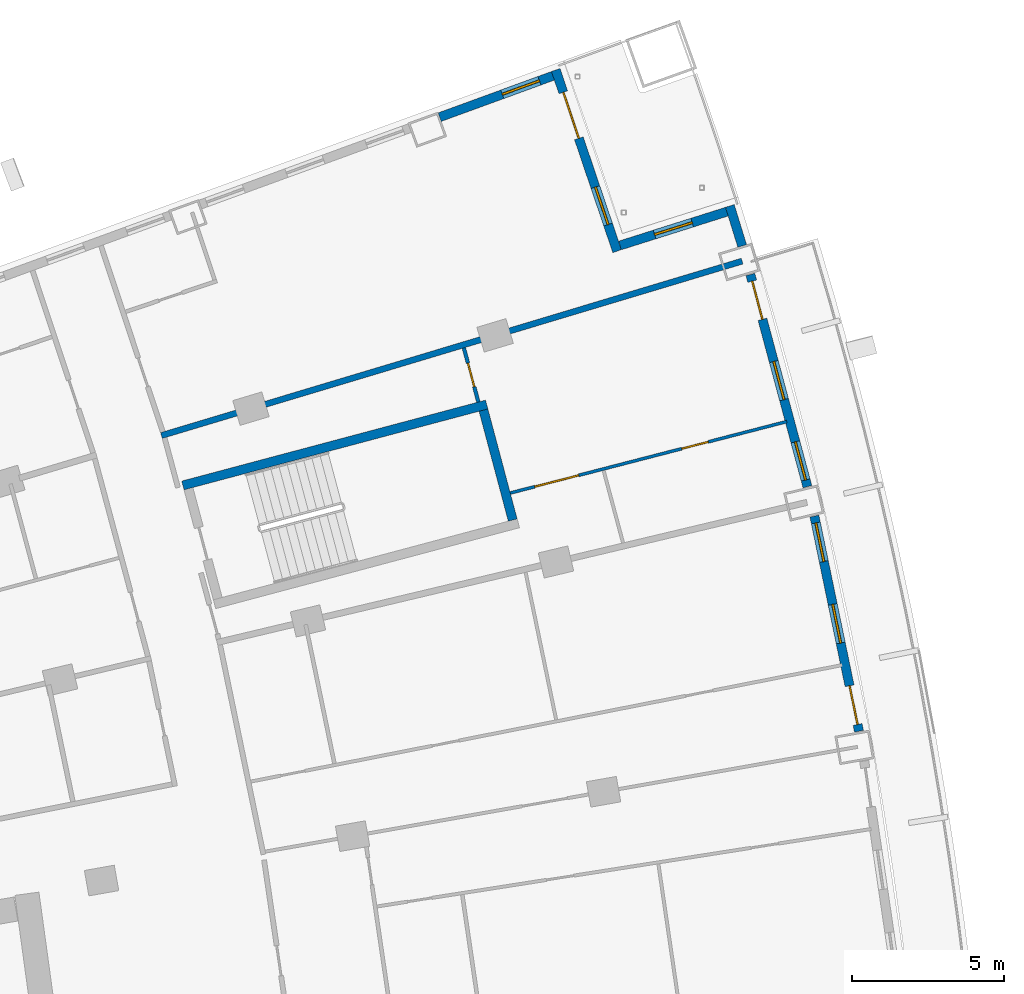
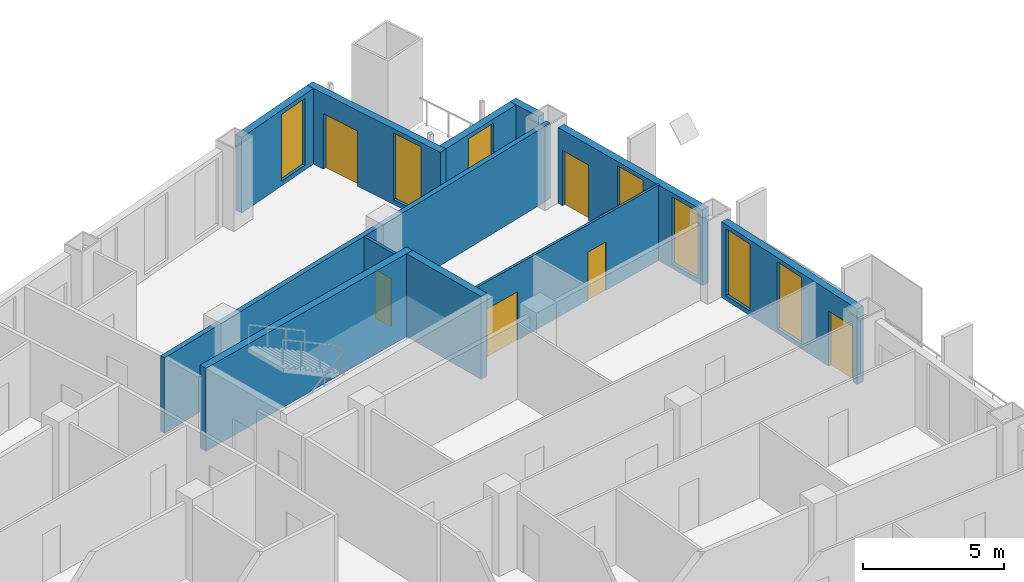
# One storey, part 21 of 25: 11 walls, 7 windows, 6 doors, 13 openings.
"""IFC4 building model written with IfcOpenShell, lengths in metres."""

from ifc_helpers import new_model, si_unit, direction, frame, frame_2d, origin, place, context, subcontext, project, spatial, rectangle, extrude, material, layer, layer_set, type_object, element, fill, save


model = new_model("IFC4")

# Units and contexts
model_context = context("Model", 3, precision=1e-05, world=origin(), true_north=direction((0.0, 1.0)))
body_context = subcontext(model_context, "Body", "Model", "MODEL_VIEW")
ifc_project = project(units=[si_unit("LENGTHUNIT", "METRE"), si_unit("AREAUNIT", "SQUARE_METRE"), si_unit("VOLUMEUNIT", "CUBIC_METRE"), si_unit("PLANEANGLEUNIT", "RADIAN"), si_unit("MASSUNIT", "GRAM", prefix="KILO")], contexts=[model_context])

# Site, building, storey
site_placement = place(None, origin())
site = spatial("IfcSite", under=ifc_project, at=site_placement, CompositionType="ELEMENT")
building_placement = place(site_placement, origin())
building = spatial("IfcBuilding", under=site, at=building_placement, Name="Alderwake Tower", CompositionType="ELEMENT")
storey_placement = place(building_placement, frame((0.0, 0.0, 111.199951171875)))
storey = spatial("IfcBuildingStorey", under=building, at=storey_placement, Name="L27", CompositionType="ELEMENT", Elevation=111.199951171875)

# Walls
ifc_material_1 = material(Name="Concrete C70/85", Category="concrete")
ifc_layer_1 = layer(ifc_material_1, 0.300048828125)
ifc_layer_set_1 = layer_set([ifc_layer_1], Name="Core wall stair enclosure 300 C70-85")
wall_type_1 = type_object("IfcWallType", Name="Core wall stair enclosure 300 C70-85", PredefinedType="SHEAR", material=ifc_layer_set_1)
wall_1_placement = place(storey_placement, frame((36.71142578125, 94.182373046875, 0.0), z_axis=(0.0, 0.0, 1.0), x_axis=(0.966309214305, 0.257383958996, 0.0)))
element("IfcWall", 1, at=wall_1_placement, inside=storey, type_object=wall_type_1, Name="Core wall CW.082", PredefinedType="SHEAR", context=body_context, shape_type="SweptSolid", body=[
    extrude(rectangle(XDim=10.360107421875, YDim=0.300048828125, at=frame_2d((5.18017578125, 0.0))), origin(), (0.0, 0.0, 1.0), 3.60009765625),
])
wall_2_placement = place(storey_placement, frame((47.581298828125, 93.041748046875, 0.0), z_axis=(0.0, 0.0, 1.0), x_axis=(-0.257366821694, 0.966313778796, 0.0)))
element("IfcWall", 2, at=wall_2_placement, inside=storey, type_object=wall_type_1, Name="Core wall CW.081", PredefinedType="SHEAR", context=body_context, shape_type="SweptSolid", body=[
    extrude(rectangle(XDim=3.749755859375, YDim=0.300048828125, at=frame_2d((1.875, 0.0))), origin(), (0.0, 0.0, 1.0), 3.60009765625),
])

# Wall, openings, door, windows
ifc_material_2 = material(Name="Precast concrete C50/60 spandrel panel", Category="concrete")
ifc_layer_2 = layer(ifc_material_2, 0.300048828125)
ifc_layer_set_2 = layer_set([ifc_layer_2], Name="External wall EW1 Precast concrete C50/60 spandrel")
wall_type_2 = type_object("IfcWallType", Name="External wall EW1 Precast concrete C50/60 spandrel", PredefinedType="SOLIDWALL", material=ifc_layer_set_2)
wall_3_placement = place(storey_placement, frame((58.991455078125, 86.081298828125, 0.0), z_axis=(0.0, 0.0, 1.0), x_axis=(-0.202744971344, 0.97923157455, 0.0)))
wall_3 = element("IfcWall", 3, at=wall_3_placement, inside=storey, type_object=wall_type_2, Name="External wall 20", PredefinedType="SOLIDWALL", context=body_context, shape_type="SweptSolid", body=[
    extrude(rectangle(XDim=7.24072265625, YDim=0.300048828125, at=frame_2d((3.620361328125, 0.0))), origin(), (0.0, 0.0, 1.0), 3.280029296875),
])
opening_1_placement = place(wall_3_placement, frame((0.22900390625, 0.0, 0.0)))
opening_1 = element("IfcOpeningElement", 4, at=opening_1_placement, cuts=wall_3, Name="Opening D10", PredefinedType="OPENING", context=body_context, shape_type="SweptSolid", body=[
    extrude(rectangle(XDim=1.300048828125, YDim=2.39990234375, at=frame_2d((0.64990234375, 1.199951171875))), frame((0.0, 0.159912109375, 0.0), z_axis=(0.0, -1.0, 0.0), x_axis=(1.0, 0.0, 0.0)), (0.0, 0.0, 1.0), 0.320068359375),
])
opening_2_placement = place(wall_3_placement, frame((2.970458984375, 0.0, 0.199951171875)))
opening_2 = element("IfcOpeningElement", 5, at=opening_2_placement, cuts=wall_3, Name="Opening W1", PredefinedType="OPENING", context=body_context, shape_type="SweptSolid", body=[
    extrude(rectangle(XDim=1.300048828125, YDim=2.89990234375, at=frame_2d((0.64990234375, 1.449951171875))), frame((0.0, 0.159912109375, 0.0), z_axis=(0.0, -1.0, 0.0), x_axis=(1.0, 0.0, 0.0)), (0.0, 0.0, 1.0), 0.320068359375),
])
opening_3_placement = place(wall_3_placement, frame((5.711669921875, 0.0, 0.199951171875)))
opening_3 = element("IfcOpeningElement", 6, at=opening_3_placement, cuts=wall_3, Name="Opening W1", PredefinedType="OPENING", context=body_context, shape_type="SweptSolid", body=[
    extrude(rectangle(XDim=1.300048828125, YDim=2.89990234375, at=frame_2d((0.64990234375, 1.449951171875))), frame((0.0, 0.159912109375, 0.0), z_axis=(0.0, -1.0, 0.0), x_axis=(1.0, 0.0, 0.0)), (0.0, 0.0, 1.0), 0.320068359375),
])
ifc_material_3 = material(Name="Bronze tinted glass in aluminium frame", Category="aluminium")
door_type_1 = type_object("IfcDoorType", Name="Balcony door BD sliding", OperationType="SLIDING_TO_LEFT", PredefinedType="DOOR", material=ifc_material_3)
door_1_placement = place(opening_1_placement, origin())
door_1 = element("IfcDoor", 7, at=door_1_placement, inside=storey, type_object=door_type_1, Name="Door D10", OperationType="SLIDING_TO_LEFT", OverallHeight=2.39990234375, OverallWidth=1.300048828125, PredefinedType="DOOR", context=body_context, shape_type="SweptSolid", body=[
    extrude(rectangle(XDim=1.300048828125, YDim=2.39990234375, at=frame_2d((0.64990234375, 1.199951171875))), frame((0.0, 0.02490234375, 0.0), z_axis=(0.0, -1.0, 0.0), x_axis=(1.0, 0.0, 0.0)), (0.0, 0.0, 1.0), 0.050048828125),
])
fill(opening_1, door_1)
ifc_material_4 = material(Name="Bronze tinted glass in aluminium frame", Category="aluminium")
window_type = type_object("IfcWindowType", Name="Window W1 tall fixed and vent", PartitioningType="DOUBLE_PANEL_VERTICAL", PredefinedType="WINDOW", material=ifc_material_4)
window_1_placement = place(opening_2_placement, origin())
window_1 = element("IfcWindow", 8, at=window_1_placement, inside=storey, type_object=window_type, Name="Window W1 tall fixed and vent", OverallHeight=2.89990234375, OverallWidth=1.300048828125, PartitioningType="DOUBLE_PANEL_VERTICAL", PredefinedType="WINDOW", context=body_context, shape_type="SweptSolid", body=[
    extrude(rectangle(XDim=1.300048828125, YDim=2.89990234375, at=frame_2d((0.64990234375, 1.449951171875))), frame((0.0, 0.030029296875, 0.0), z_axis=(0.0, -1.0, 0.0), x_axis=(1.0, 0.0, 0.0)), (0.0, 0.0, 1.0), 0.06005859375),
])
fill(opening_2, window_1)
window_2_placement = place(opening_3_placement, origin())
window_2 = element("IfcWindow", 9, at=window_2_placement, inside=storey, type_object=window_type, Name="Window W1 tall fixed and vent", OverallHeight=2.89990234375, OverallWidth=1.300048828125, PartitioningType="DOUBLE_PANEL_VERTICAL", PredefinedType="WINDOW", context=body_context, shape_type="SweptSolid", body=[
    extrude(rectangle(XDim=1.300048828125, YDim=2.89990234375, at=frame_2d((0.64990234375, 1.449951171875))), frame((0.0, 0.030029296875, 0.0), z_axis=(0.0, -1.0, 0.0), x_axis=(1.0, 0.0, 0.0)), (0.0, 0.0, 1.0), 0.06005859375),
])
fill(opening_3, window_2)

wall_4_placement = place(storey_placement, frame((57.292724609375, 94.141845703125, 0.0), z_axis=(0.0, 0.0, 1.0), x_axis=(-0.259492183522, 0.965745207957, 0.0)))
wall_4 = element("IfcWall", 10, at=wall_4_placement, inside=storey, type_object=wall_type_2, Name="External wall 21", PredefinedType="SOLIDWALL", context=body_context, shape_type="SweptSolid", body=[
    extrude(rectangle(XDim=7.24072265625, YDim=0.300048828125, at=frame_2d((3.620361328125, 0.0))), origin(), (0.0, 0.0, 1.0), 3.280029296875),
])
opening_4_placement = place(wall_4_placement, frame((0.22900390625, 0.0, 0.199951171875)))
opening_4 = element("IfcOpeningElement", 11, at=opening_4_placement, cuts=wall_4, Name="Opening W1", PredefinedType="OPENING", context=body_context, shape_type="SweptSolid", body=[
    extrude(rectangle(XDim=1.300048828125, YDim=2.89990234375, at=frame_2d((0.64990234375, 1.449951171875))), frame((0.0, 0.159912109375, 0.0), z_axis=(0.0, -1.0, 0.0), x_axis=(1.0, 0.0, 0.0)), (0.0, 0.0, 1.0), 0.320068359375),
])
opening_5_placement = place(wall_4_placement, frame((2.97021484375, 0.0, 0.199951171875)))
opening_5 = element("IfcOpeningElement", 12, at=opening_5_placement, cuts=wall_4, Name="Opening W1", PredefinedType="OPENING", context=body_context, shape_type="SweptSolid", body=[
    extrude(rectangle(XDim=1.300048828125, YDim=2.89990234375, at=frame_2d((0.64990234375, 1.449951171875))), frame((0.0, 0.159912109375, 0.0), z_axis=(0.0, -1.0, 0.0), x_axis=(1.0, 0.0, 0.0)), (0.0, 0.0, 1.0), 0.320068359375),
])
opening_6_placement = place(wall_4_placement, frame((5.711669921875, 0.0, 0.0)))
opening_6 = element("IfcOpeningElement", 13, at=opening_6_placement, cuts=wall_4, Name="Opening D11", PredefinedType="OPENING", context=body_context, shape_type="SweptSolid", body=[
    extrude(rectangle(XDim=1.300048828125, YDim=2.39990234375, at=frame_2d((0.64990234375, 1.199951171875))), frame((0.0, 0.159912109375, 0.0), z_axis=(0.0, -1.0, 0.0), x_axis=(1.0, 0.0, 0.0)), (0.0, 0.0, 1.0), 0.320068359375),
])
door_2_placement = place(opening_6_placement, origin())
door_2 = element("IfcDoor", 14, at=door_2_placement, inside=storey, type_object=door_type_1, Name="Door D11", OperationType="SLIDING_TO_LEFT", OverallHeight=2.39990234375, OverallWidth=1.300048828125, PredefinedType="DOOR", context=body_context, shape_type="SweptSolid", body=[
    extrude(rectangle(XDim=1.300048828125, YDim=2.39990234375, at=frame_2d((0.64990234375, 1.199951171875))), frame((0.0, 0.02490234375, 0.0), z_axis=(0.0, -1.0, 0.0), x_axis=(1.0, 0.0, 0.0)), (0.0, 0.0, 1.0), 0.050048828125),
])
fill(opening_6, door_2)
window_3_placement = place(opening_4_placement, origin())
window_3 = element("IfcWindow", 15, at=window_3_placement, inside=storey, type_object=window_type, Name="Window W1 tall fixed and vent", OverallHeight=2.89990234375, OverallWidth=1.300048828125, PartitioningType="DOUBLE_PANEL_VERTICAL", PredefinedType="WINDOW", context=body_context, shape_type="SweptSolid", body=[
    extrude(rectangle(XDim=1.300048828125, YDim=2.89990234375, at=frame_2d((0.64990234375, 1.449951171875))), frame((0.0, 0.030029296875, 0.0), z_axis=(0.0, -1.0, 0.0), x_axis=(1.0, 0.0, 0.0)), (0.0, 0.0, 1.0), 0.06005859375),
])
fill(opening_4, window_3)
window_4_placement = place(opening_5_placement, origin())
window_4 = element("IfcWindow", 16, at=window_4_placement, inside=storey, type_object=window_type, Name="Window W1 tall fixed and vent", OverallHeight=2.89990234375, OverallWidth=1.300048828125, PartitioningType="DOUBLE_PANEL_VERTICAL", PredefinedType="WINDOW", context=body_context, shape_type="SweptSolid", body=[
    extrude(rectangle(XDim=1.300048828125, YDim=2.89990234375, at=frame_2d((0.64990234375, 1.449951171875))), frame((0.0, 0.030029296875, 0.0), z_axis=(0.0, -1.0, 0.0), x_axis=(1.0, 0.0, 0.0)), (0.0, 0.0, 1.0), 0.06005859375),
])
fill(opening_5, window_4)

# Wall
wall_5_placement = place(storey_placement, frame((55.142822265625, 102.075927734375, 0.0), z_axis=(0.0, 0.0, 1.0), x_axis=(-0.294421732996, 0.955675595137, 0.0)))
element("IfcWall", 17, at=wall_5_placement, inside=storey, type_object=wall_type_2, Name="External wall 22", PredefinedType="SOLIDWALL", context=body_context, shape_type="SweptSolid", body=[
    extrude(rectangle(XDim=1.37890625, YDim=0.300048828125, at=frame_2d((0.689453125, 0.0))), origin(), (0.0, 0.0, 1.0), 3.280029296875),
])

# Wall, opening, window
ifc_material_5 = material(Name="Bronze metal cladding on lightweight framing")
ifc_layer_3 = layer(ifc_material_5, 0.300048828125)
ifc_layer_set_3 = layer_set([ifc_layer_3], Name="External wall EW2 bronze metal cladding")
wall_type_3 = type_object("IfcWallType", Name="External wall EW2 bronze metal cladding", PredefinedType="SOLIDWALL", material=ifc_layer_set_3)
wall_6_placement = place(storey_placement, frame((54.6376953125, 103.205078125, 0.0), z_axis=(0.0, 0.0, 1.0), x_axis=(-0.953466730622, -0.301498248083, 0.0)))
wall_6 = element("IfcWall", 18, at=wall_6_placement, inside=storey, type_object=wall_type_3, Name="External wall 23", PredefinedType="SOLIDWALL", context=body_context, shape_type="SweptSolid", body=[
    extrude(rectangle(XDim=3.694091796875, YDim=0.300048828125, at=frame_2d((1.84716796875, 0.0))), origin(), (0.0, 0.0, 1.0), 3.280029296875),
])
opening_7_placement = place(wall_6_placement, frame((1.197021484375, 0.0, 0.199951171875)))
opening_7 = element("IfcOpeningElement", 19, at=opening_7_placement, cuts=wall_6, Name="Opening W1", PredefinedType="OPENING", context=body_context, shape_type="SweptSolid", body=[
    extrude(rectangle(XDim=1.300048828125, YDim=2.89990234375, at=frame_2d((0.64990234375, 1.449951171875))), frame((0.0, 0.159912109375, 0.0), z_axis=(0.0, -1.0, 0.0), x_axis=(1.0, 0.0, 0.0)), (0.0, 0.0, 1.0), 0.320068359375),
])
window_5_placement = place(opening_7_placement, origin())
window_5 = element("IfcWindow", 20, at=window_5_placement, inside=storey, type_object=window_type, Name="Window W1 tall fixed and vent", OverallHeight=2.89990234375, OverallWidth=1.300048828125, PartitioningType="DOUBLE_PANEL_VERTICAL", PredefinedType="WINDOW", context=body_context, shape_type="SweptSolid", body=[
    extrude(rectangle(XDim=1.300048828125, YDim=2.89990234375, at=frame_2d((0.64990234375, 1.449951171875))), frame((0.0, 0.030029296875, 0.0), z_axis=(0.0, -1.0, 0.0), x_axis=(1.0, 0.0, 0.0)), (0.0, 0.0, 1.0), 0.06005859375),
])
fill(opening_7, window_5)

# Wall, openings, door, window
wall_7_placement = place(storey_placement, frame((51.0205078125, 101.904052734375, 0.0), z_axis=(0.0, 0.0, 1.0), x_axis=(-0.320894446664, 0.947114963508, 0.0)))
wall_7 = element("IfcWall", 21, at=wall_7_placement, inside=storey, type_object=wall_type_3, Name="External wall 24", PredefinedType="SOLIDWALL", context=body_context, shape_type="SweptSolid", body=[
    extrude(rectangle(XDim=6.30419921875, YDim=0.300048828125, at=frame_2d((3.152099609375, 0.0))), origin(), (0.0, 0.0, 1.0), 3.280029296875),
])
opening_8_placement = place(wall_7_placement, frame((0.926025390625, 0.0, 0.199951171875)))
opening_8 = element("IfcOpeningElement", 22, at=opening_8_placement, cuts=wall_7, Name="Opening W1", PredefinedType="OPENING", context=body_context, shape_type="SweptSolid", body=[
    extrude(rectangle(XDim=1.300048828125, YDim=2.89990234375, at=frame_2d((0.64990234375, 1.449951171875))), frame((0.0, 0.159912109375, 0.0), z_axis=(0.0, -1.0, 0.0), x_axis=(1.0, 0.0, 0.0)), (0.0, 0.0, 1.0), 0.320068359375),
])
opening_9_placement = place(wall_7_placement, frame((3.92822265625, 0.0, 0.0)))
opening_9 = element("IfcOpeningElement", 23, at=opening_9_placement, cuts=wall_7, Name="Opening D12", PredefinedType="OPENING", context=body_context, shape_type="SweptSolid", body=[
    extrude(rectangle(XDim=1.60009765625, YDim=2.39990234375, at=frame_2d((0.800048828125, 1.199951171875))), frame((0.0, 0.159912109375, 0.0), z_axis=(0.0, -1.0, 0.0), x_axis=(1.0, 0.0, 0.0)), (0.0, 0.0, 1.0), 0.320068359375),
])
ifc_material_6 = material(Name="Bronze tinted glass in aluminium frame", Category="aluminium")
door_type_2 = type_object("IfcDoorType", Name="Terrace door TD sliding", OperationType="SLIDING_TO_LEFT", PredefinedType="DOOR", material=ifc_material_6)
door_3_placement = place(opening_9_placement, origin())
door_3 = element("IfcDoor", 24, at=door_3_placement, inside=storey, type_object=door_type_2, Name="Door D12", OperationType="SLIDING_TO_LEFT", OverallHeight=2.39990234375, OverallWidth=1.60009765625, PredefinedType="DOOR", context=body_context, shape_type="SweptSolid", body=[
    extrude(rectangle(XDim=1.60009765625, YDim=2.39990234375, at=frame_2d((0.800048828125, 1.199951171875))), frame((0.0, 0.02490234375, 0.0), z_axis=(0.0, -1.0, 0.0), x_axis=(1.0, 0.0, 0.0)), (0.0, 0.0, 1.0), 0.050048828125),
])
fill(opening_9, door_3)
window_6_placement = place(opening_8_placement, origin())
window_6 = element("IfcWindow", 25, at=window_6_placement, inside=storey, type_object=window_type, Name="Window W1 tall fixed and vent", OverallHeight=2.89990234375, OverallWidth=1.300048828125, PartitioningType="DOUBLE_PANEL_VERTICAL", PredefinedType="WINDOW", context=body_context, shape_type="SweptSolid", body=[
    extrude(rectangle(XDim=1.300048828125, YDim=2.89990234375, at=frame_2d((0.64990234375, 1.449951171875))), frame((0.0, 0.030029296875, 0.0), z_axis=(0.0, -1.0, 0.0), x_axis=(1.0, 0.0, 0.0)), (0.0, 0.0, 1.0), 0.06005859375),
])
fill(opening_8, window_6)

# Wall, opening, window
wall_8_placement = place(storey_placement, frame((48.90478515625, 107.681396484375, 0.0), z_axis=(0.0, 0.0, 1.0), x_axis=(-0.939358262934, -0.342937390578, 0.0)))
wall_8 = element("IfcWall", 26, at=wall_8_placement, inside=storey, type_object=wall_type_3, Name="External wall 25", PredefinedType="SOLIDWALL", context=body_context, shape_type="SweptSolid", body=[
    extrude(rectangle(XDim=3.970947265625, YDim=0.300048828125, at=frame_2d((1.9853515625, 0.0))), origin(), (0.0, 0.0, 1.0), 3.280029296875),
])
opening_10_placement = place(wall_8_placement, frame((0.474609375, 0.0, 0.199951171875)))
opening_10 = element("IfcOpeningElement", 27, at=opening_10_placement, cuts=wall_8, Name="Opening W1", PredefinedType="OPENING", context=body_context, shape_type="SweptSolid", body=[
    extrude(rectangle(XDim=1.300048828125, YDim=2.89990234375, at=frame_2d((0.64990234375, 1.449951171875))), frame((0.0, 0.159912109375, 0.0), z_axis=(0.0, -1.0, 0.0), x_axis=(1.0, 0.0, 0.0)), (0.0, 0.0, 1.0), 0.320068359375),
])
window_7_placement = place(opening_10_placement, origin())
window_7 = element("IfcWindow", 28, at=window_7_placement, inside=storey, type_object=window_type, Name="Window W1 tall fixed and vent", OverallHeight=2.89990234375, OverallWidth=1.300048828125, PartitioningType="DOUBLE_PANEL_VERTICAL", PredefinedType="WINDOW", context=body_context, shape_type="SweptSolid", body=[
    extrude(rectangle(XDim=1.300048828125, YDim=2.89990234375, at=frame_2d((0.64990234375, 1.449951171875))), frame((0.0, 0.030029296875, 0.0), z_axis=(0.0, -1.0, 0.0), x_axis=(1.0, 0.0, 0.0)), (0.0, 0.0, 1.0), 0.06005859375),
])
fill(opening_10, window_7)

# Wall
ifc_material_7 = material(Name="Dense block masonry wall", Category="masonry")
ifc_layer_4 = layer(ifc_material_7, 0.199951171875)
ifc_layer_set_4 = layer_set([ifc_layer_4], Name="Party wall 200")
wall_type_4 = type_object("IfcWallType", Name="Party wall 200", PredefinedType="SOLIDWALL", material=ifc_layer_set_4)
wall_9_placement = place(storey_placement, frame((55.139892578125, 101.573974609375, 0.0), z_axis=(0.0, 0.0, 1.0), x_axis=(-0.957737789931, -0.287642704997, 0.0)))
element("IfcWall", 29, at=wall_9_placement, inside=storey, type_object=wall_type_4, Name="WL/L27/W10", PredefinedType="SOLIDWALL", context=body_context, shape_type="SweptSolid", body=[
    extrude(rectangle(XDim=19.97998046875, YDim=0.199951171875, at=frame_2d((9.989990234375, 0.0))), origin(), (0.0, 0.0, 1.0), 3.280029296875),
])

# Wall, openings, doors
ifc_material_8 = material(Name="Gypsum board on metal studs")
ifc_layer_5 = layer(ifc_material_8, 0.10009765625)
ifc_layer_set_5 = layer_set([ifc_layer_5], Name="Unit partition 100")
wall_type_5 = type_object("IfcWallType", Name="Unit partition 100", PredefinedType="PARTITIONING", material=ifc_layer_set_5)
wall_10_placement = place(storey_placement, frame((47.4990234375, 93.93310546875, 0.0), z_axis=(0.0, 0.0, 1.0), x_axis=(0.968200762056, 0.250174507803, 0.0)))
wall_10 = element("IfcWall", 30, at=wall_10_placement, inside=storey, type_object=wall_type_5, Name="WL/L27/W81", PredefinedType="PARTITIONING", context=body_context, shape_type="SweptSolid", body=[
    extrude(rectangle(XDim=9.413330078125, YDim=0.10009765625, at=frame_2d((4.70654296875, 0.0))), origin(), (0.0, 0.0, 1.0), 3.280029296875),
])
opening_11_placement = place(wall_10_placement, frame((0.831787109375, 0.0, 0.0)))
opening_11 = element("IfcOpeningElement", 31, at=opening_11_placement, cuts=wall_10, Name="Opening R07-U02.2", PredefinedType="OPENING", context=body_context, shape_type="SweptSolid", body=[
    extrude(rectangle(XDim=1.5, YDim=2.10009765625, at=frame_2d((0.75, 1.050048828125))), frame((0.0, 0.06005859375, 0.0), z_axis=(0.0, -1.0, 0.0), x_axis=(1.0, 0.0, 0.0)), (0.0, 0.0, 1.0), 0.1201171875),
])
opening_12_placement = place(wall_10_placement, frame((5.838134765625, 0.0, 0.0)))
opening_12 = element("IfcOpeningElement", 32, at=opening_12_placement, cuts=wall_10, Name="Opening R07-U02.3", PredefinedType="OPENING", context=body_context, shape_type="SweptSolid", body=[
    extrude(rectangle(XDim=0.89990234375, YDim=2.10009765625, at=frame_2d((0.449951171875, 1.050048828125))), frame((0.0, 0.06005859375, 0.0), z_axis=(0.0, -1.0, 0.0), x_axis=(1.0, 0.0, 0.0)), (0.0, 0.0, 1.0), 0.1201171875),
])
ifc_material_9 = material(Name="Painted timber leaves", Category="wood")
door_type_3 = type_object("IfcDoorType", Name="Double leaf door 1500", OperationType="DOUBLE_DOOR_SINGLE_SWING", PredefinedType="DOOR", material=ifc_material_9)
door_4_placement = place(opening_11_placement, origin())
door_4 = element("IfcDoor", 33, at=door_4_placement, inside=storey, type_object=door_type_3, Name="DR/L27/U02.2", OperationType="DOUBLE_DOOR_SINGLE_SWING", OverallHeight=2.10009765625, OverallWidth=1.5, PredefinedType="DOOR", context=body_context, shape_type="SweptSolid", body=[
    extrude(rectangle(XDim=1.5, YDim=2.10009765625, at=frame_2d((0.75, 1.050048828125))), frame((0.0, 0.02490234375, 0.0), z_axis=(0.0, -1.0, 0.0), x_axis=(1.0, 0.0, 0.0)), (0.0, 0.0, 1.0), 0.050048828125),
])
fill(opening_11, door_4)
ifc_material_10 = material(Name="Painted timber leaf", Category="wood")
door_type_4 = type_object("IfcDoorType", Name="Room door 900", OperationType="SINGLE_SWING_LEFT", PredefinedType="DOOR", material=ifc_material_10)
door_5_placement = place(opening_12_placement, origin())
door_5 = element("IfcDoor", 34, at=door_5_placement, inside=storey, type_object=door_type_4, Name="DR/L27/U02.3", OperationType="SINGLE_SWING_LEFT", OverallHeight=2.10009765625, OverallWidth=0.89990234375, PredefinedType="DOOR", context=body_context, shape_type="SweptSolid", body=[
    extrude(rectangle(XDim=0.89990234375, YDim=2.10009765625, at=frame_2d((0.449951171875, 1.050048828125))), frame((0.0, 0.02490234375, 0.0), z_axis=(0.0, -1.0, 0.0), x_axis=(1.0, 0.0, 0.0)), (0.0, 0.0, 1.0), 0.050048828125),
])
fill(opening_12, door_5)

# Wall, opening, door
ifc_material_11 = material(Name="Moisture resistant gypsum board on metal studs")
ifc_layer_6 = layer(ifc_material_11, 0.1201171875)
ifc_layer_set_6 = layer_set([ifc_layer_6], Name="Wet room partition 120")
wall_type_6 = type_object("IfcWallType", Name="Wet room partition 120", PredefinedType="PARTITIONING", material=ifc_layer_set_6)
wall_11_placement = place(storey_placement, frame((46.448974609375, 96.929931640625, 0.0), z_axis=(0.0, 0.0, 1.0), x_axis=(-0.258764710752, 0.965940383497, 0.0)))
wall_11 = element("IfcWall", 35, at=wall_11_placement, inside=storey, type_object=wall_type_6, Name="WL/L27/W61", PredefinedType="PARTITIONING", context=body_context, shape_type="SweptSolid", body=[
    extrude(rectangle(XDim=1.847412109375, YDim=0.1201171875, at=frame_2d((0.923828125, 0.0))), origin(), (0.0, 0.0, 1.0), 3.280029296875),
])
opening_13_placement = place(wall_11_placement, frame((0.524169921875, 0.0, 0.0)))
opening_13 = element("IfcOpeningElement", 36, at=opening_13_placement, cuts=wall_11, Name="Opening R07-U02.4", PredefinedType="OPENING", context=body_context, shape_type="SweptSolid", body=[
    extrude(rectangle(XDim=0.800048828125, YDim=2.10009765625, at=frame_2d((0.39990234375, 1.050048828125))), frame((0.0, 0.070068359375, 0.0), z_axis=(0.0, -1.0, 0.0), x_axis=(1.0, 0.0, 0.0)), (0.0, 0.0, 1.0), 0.14013671875),
])
ifc_material_12 = material(Name="Painted timber leaf", Category="wood")
door_type_5 = type_object("IfcDoorType", Name="Bathroom door 800", OperationType="SINGLE_SWING_LEFT", PredefinedType="DOOR", material=ifc_material_12)
door_6_placement = place(opening_13_placement, origin())
door_6 = element("IfcDoor", 37, at=door_6_placement, inside=storey, type_object=door_type_5, Name="DR/L27/U02.4", OperationType="SINGLE_SWING_LEFT", OverallHeight=2.10009765625, OverallWidth=0.800048828125, PredefinedType="DOOR", context=body_context, shape_type="SweptSolid", body=[
    extrude(rectangle(XDim=0.800048828125, YDim=2.10009765625, at=frame_2d((0.39990234375, 1.050048828125))), frame((0.0, 0.02490234375, 0.0), z_axis=(0.0, -1.0, 0.0), x_axis=(1.0, 0.0, 0.0)), (0.0, 0.0, 1.0), 0.050048828125),
])
fill(opening_13, door_6)

save(model, "model.ifc")
